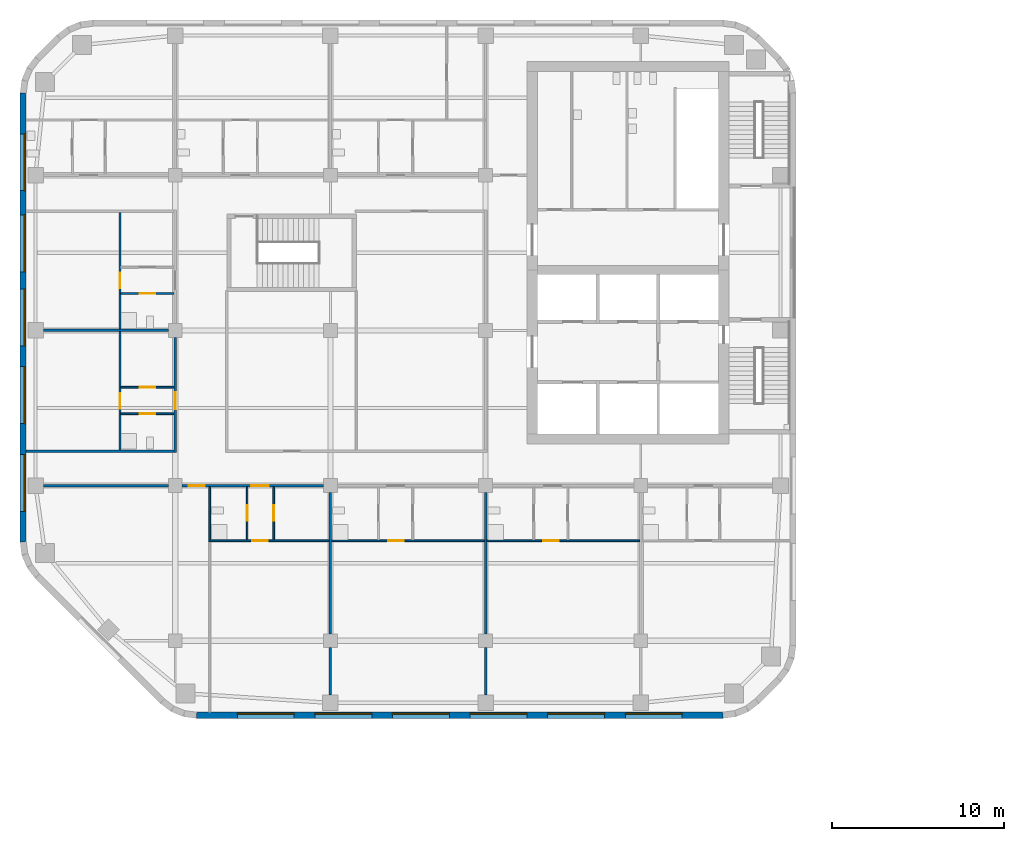
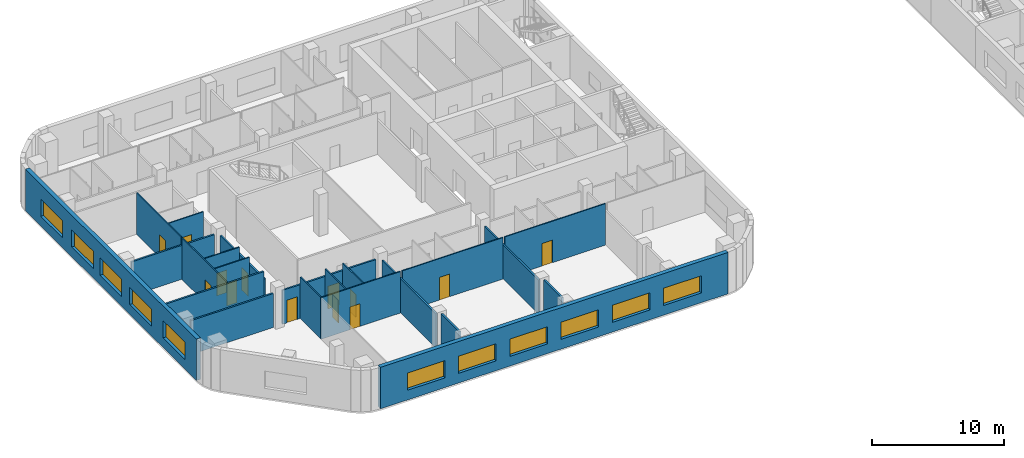
# One storey, part 5 of 16: 22 walls, 13 doors, 11 windows, 24 openings.
"""IFC4 building model written with IfcOpenShell, lengths in metres."""

from ifc_helpers import new_model, si_unit, direction, frame, frame_2d, origin, place, context, subcontext, project, spatial, rectangle, extrude, material, layer, layer_set, type_object, element, fill, save


model = new_model("IFC4")

# Units and contexts
model_context = context("Model", 3, precision=1e-05, world=origin(), true_north=direction((0.0, 1.0)))
body_context = subcontext(model_context, "Body", "Model", "MODEL_VIEW")
ifc_project = project(units=[si_unit("LENGTHUNIT", "METRE"), si_unit("AREAUNIT", "SQUARE_METRE"), si_unit("VOLUMEUNIT", "CUBIC_METRE"), si_unit("PLANEANGLEUNIT", "RADIAN"), si_unit("MASSUNIT", "GRAM", prefix="KILO")], contexts=[model_context])

# Site, building, storey
site_placement = place(None, origin())
site = spatial("IfcSite", under=ifc_project, at=site_placement, CompositionType="ELEMENT")
building_placement = place(site_placement, origin())
building = spatial("IfcBuilding", under=site, at=building_placement, Name="Cinnabar Reach Civic Tower", CompositionType="ELEMENT")
storey_placement = place(building_placement, frame((0.0, 0.0, 30.0)))
storey = spatial("IfcBuildingStorey", under=building, at=storey_placement, Name="L06", CompositionType="ELEMENT", Elevation=30.0)

# Wall, openings, windows
ifc_material_1 = material(Name="Facing brick with insulated backing", Category="masonry")
ifc_layer_1 = layer(ifc_material_1, 0.36)
ifc_layer_set_1 = layer_set([ifc_layer_1], Name="Brick pier and spandrel wall")
wall_type_1 = type_object("IfcWallType", Name="Brick pier and spandrel wall", PredefinedType="STANDARD", material=ifc_layer_set_1)
wall_1_placement = place(storey_placement, frame((-61.7574, 4.68, 0.0), z_axis=(0.0, 0.0, 1.0), x_axis=(1.0, 0.0, 0.0)))
wall_1 = element("IfcWall", 1, at=wall_1_placement, inside=storey, type_object=wall_type_1, Name="Brick facade wall", PredefinedType="STANDARD", context=body_context, shape_type="SweptSolid", body=[
    extrude(rectangle(XDim=30.5148, YDim=0.36, at=frame_2d((15.2574, 0.0))), origin(), (0.0, 0.0, 1.0), 3.85),
])
opening_1_placement = place(wall_1_placement, frame((2.3574, 0.0, 0.9)))
opening_1 = element("IfcOpeningElement", 2, at=opening_1_placement, cuts=wall_1, Name="Opening W2372", PredefinedType="OPENING", context=body_context, shape_type="SweptSolid", body=[
    extrude(rectangle(XDim=3.3, YDim=1.6, at=frame_2d((1.65, 0.8))), frame((0.0, 0.19, 0.0), z_axis=(0.0, -1.0, 0.0), x_axis=(1.0, 0.0, 0.0)), (0.0, 0.0, 1.0), 0.38),
])
opening_2_placement = place(wall_1_placement, frame((6.8574, 0.0, 0.9)))
opening_2 = element("IfcOpeningElement", 3, at=opening_2_placement, cuts=wall_1, Name="Opening W2373", PredefinedType="OPENING", context=body_context, shape_type="SweptSolid", body=[
    extrude(rectangle(XDim=3.3, YDim=1.6, at=frame_2d((1.65, 0.8))), frame((0.0, 0.19, 0.0), z_axis=(0.0, -1.0, 0.0), x_axis=(1.0, 0.0, 0.0)), (0.0, 0.0, 1.0), 0.38),
])
opening_3_placement = place(wall_1_placement, frame((11.3574, 0.0, 0.9)))
opening_3 = element("IfcOpeningElement", 4, at=opening_3_placement, cuts=wall_1, Name="Opening W2374", PredefinedType="OPENING", context=body_context, shape_type="SweptSolid", body=[
    extrude(rectangle(XDim=3.3, YDim=1.6, at=frame_2d((1.65, 0.8))), frame((0.0, 0.19, 0.0), z_axis=(0.0, -1.0, 0.0), x_axis=(1.0, 0.0, 0.0)), (0.0, 0.0, 1.0), 0.38),
])
opening_4_placement = place(wall_1_placement, frame((15.8574, 0.0, 0.9)))
opening_4 = element("IfcOpeningElement", 5, at=opening_4_placement, cuts=wall_1, Name="Opening W2375", PredefinedType="OPENING", context=body_context, shape_type="SweptSolid", body=[
    extrude(rectangle(XDim=3.3, YDim=1.6, at=frame_2d((1.65, 0.8))), frame((0.0, 0.19, 0.0), z_axis=(0.0, -1.0, 0.0), x_axis=(1.0, 0.0, 0.0)), (0.0, 0.0, 1.0), 0.38),
])
opening_5_placement = place(wall_1_placement, frame((20.3574, 0.0, 0.9)))
opening_5 = element("IfcOpeningElement", 6, at=opening_5_placement, cuts=wall_1, Name="Opening W2376", PredefinedType="OPENING", context=body_context, shape_type="SweptSolid", body=[
    extrude(rectangle(XDim=3.3, YDim=1.6, at=frame_2d((1.65, 0.8))), frame((0.0, 0.19, 0.0), z_axis=(0.0, -1.0, 0.0), x_axis=(1.0, 0.0, 0.0)), (0.0, 0.0, 1.0), 0.38),
])
opening_6_placement = place(wall_1_placement, frame((24.8574, 0.0, 0.9)))
opening_6 = element("IfcOpeningElement", 7, at=opening_6_placement, cuts=wall_1, Name="Opening W2377", PredefinedType="OPENING", context=body_context, shape_type="SweptSolid", body=[
    extrude(rectangle(XDim=3.3, YDim=1.6, at=frame_2d((1.65, 0.8))), frame((0.0, 0.19, 0.0), z_axis=(0.0, -1.0, 0.0), x_axis=(1.0, 0.0, 0.0)), (0.0, 0.0, 1.0), 0.38),
])
ifc_material_2 = material(Name="Clear double glazing in aluminium frame", Category="aluminium")
window_type = type_object("IfcWindowType", Name="Deep-set window A", PartitioningType="SINGLE_PANEL", PredefinedType="WINDOW", material=ifc_material_2)
window_1_placement = place(opening_1_placement, origin())
window_1 = element("IfcWindow", 8, at=window_1_placement, inside=storey, type_object=window_type, Name="Window south face", OverallHeight=1.6, OverallWidth=3.3, PartitioningType="SINGLE_PANEL", PredefinedType="WINDOW", context=body_context, shape_type="SweptSolid", body=[
    extrude(rectangle(XDim=3.3, YDim=1.6, at=frame_2d((1.65, 0.8))), frame((0.0, 0.13, 0.0), z_axis=(0.0, -1.0, 0.0), x_axis=(1.0, 0.0, 0.0)), (0.0, 0.0, 1.0), 0.06),
])
fill(opening_1, window_1)
window_2_placement = place(opening_2_placement, origin())
window_2 = element("IfcWindow", 9, at=window_2_placement, inside=storey, type_object=window_type, Name="Window south face", OverallHeight=1.6, OverallWidth=3.3, PartitioningType="SINGLE_PANEL", PredefinedType="WINDOW", context=body_context, shape_type="SweptSolid", body=[
    extrude(rectangle(XDim=3.3, YDim=1.6, at=frame_2d((1.65, 0.8))), frame((0.0, 0.13, 0.0), z_axis=(0.0, -1.0, 0.0), x_axis=(1.0, 0.0, 0.0)), (0.0, 0.0, 1.0), 0.06),
])
fill(opening_2, window_2)
window_3_placement = place(opening_3_placement, origin())
window_3 = element("IfcWindow", 10, at=window_3_placement, inside=storey, type_object=window_type, Name="Window south face", OverallHeight=1.6, OverallWidth=3.3, PartitioningType="SINGLE_PANEL", PredefinedType="WINDOW", context=body_context, shape_type="SweptSolid", body=[
    extrude(rectangle(XDim=3.3, YDim=1.6, at=frame_2d((1.65, 0.8))), frame((0.0, 0.13, 0.0), z_axis=(0.0, -1.0, 0.0), x_axis=(1.0, 0.0, 0.0)), (0.0, 0.0, 1.0), 0.06),
])
fill(opening_3, window_3)
window_4_placement = place(opening_4_placement, origin())
window_4 = element("IfcWindow", 11, at=window_4_placement, inside=storey, type_object=window_type, Name="Window south face", OverallHeight=1.6, OverallWidth=3.3, PartitioningType="SINGLE_PANEL", PredefinedType="WINDOW", context=body_context, shape_type="SweptSolid", body=[
    extrude(rectangle(XDim=3.3, YDim=1.6, at=frame_2d((1.65, 0.8))), frame((0.0, 0.13, 0.0), z_axis=(0.0, -1.0, 0.0), x_axis=(1.0, 0.0, 0.0)), (0.0, 0.0, 1.0), 0.06),
])
fill(opening_4, window_4)
window_5_placement = place(opening_5_placement, origin())
window_5 = element("IfcWindow", 12, at=window_5_placement, inside=storey, type_object=window_type, Name="Window south face", OverallHeight=1.6, OverallWidth=3.3, PartitioningType="SINGLE_PANEL", PredefinedType="WINDOW", context=body_context, shape_type="SweptSolid", body=[
    extrude(rectangle(XDim=3.3, YDim=1.6, at=frame_2d((1.65, 0.8))), frame((0.0, 0.13, 0.0), z_axis=(0.0, -1.0, 0.0), x_axis=(1.0, 0.0, 0.0)), (0.0, 0.0, 1.0), 0.06),
])
fill(opening_5, window_5)
window_6_placement = place(opening_6_placement, origin())
window_6 = element("IfcWindow", 13, at=window_6_placement, inside=storey, type_object=window_type, Name="Window south face", OverallHeight=1.6, OverallWidth=3.3, PartitioningType="SINGLE_PANEL", PredefinedType="WINDOW", context=body_context, shape_type="SweptSolid", body=[
    extrude(rectangle(XDim=3.3, YDim=1.6, at=frame_2d((1.65, 0.8))), frame((0.0, 0.13, 0.0), z_axis=(0.0, -1.0, 0.0), x_axis=(1.0, 0.0, 0.0)), (0.0, 0.0, 1.0), 0.06),
])
fill(opening_6, window_6)

wall_2_placement = place(storey_placement, frame((-71.82, 40.7574, 0.0), z_axis=(0.0, 0.0, 1.0), x_axis=(0.0, -1.0, 0.0)))
wall_2 = element("IfcWall", 14, at=wall_2_placement, inside=storey, type_object=wall_type_1, Name="Brick facade wall", PredefinedType="STANDARD", context=body_context, shape_type="SweptSolid", body=[
    extrude(rectangle(XDim=26.0148, YDim=0.36, at=frame_2d((13.0074, 0.0))), origin(), (0.0, 0.0, 1.0), 3.85),
])
opening_7_placement = place(wall_2_placement, frame((2.3574, 0.0, 0.9)))
opening_7 = element("IfcOpeningElement", 15, at=opening_7_placement, cuts=wall_2, Name="Opening W2388", PredefinedType="OPENING", context=body_context, shape_type="SweptSolid", body=[
    extrude(rectangle(XDim=3.3, YDim=1.6, at=frame_2d((1.65, 0.8))), frame((0.0, 0.19, 0.0), z_axis=(0.0, -1.0, 0.0), x_axis=(1.0, 0.0, 0.0)), (0.0, 0.0, 1.0), 0.38),
])
opening_8_placement = place(wall_2_placement, frame((7.0574, 0.0, 0.9)))
opening_8 = element("IfcOpeningElement", 16, at=opening_8_placement, cuts=wall_2, Name="Opening W2389", PredefinedType="OPENING", context=body_context, shape_type="SweptSolid", body=[
    extrude(rectangle(XDim=3.3, YDim=1.6, at=frame_2d((1.65, 0.8))), frame((0.0, 0.19, 0.0), z_axis=(0.0, -1.0, 0.0), x_axis=(1.0, 0.0, 0.0)), (0.0, 0.0, 1.0), 0.38),
])
opening_9_placement = place(wall_2_placement, frame((11.3574, 0.0, 0.9)))
opening_9 = element("IfcOpeningElement", 17, at=opening_9_placement, cuts=wall_2, Name="Opening W2390", PredefinedType="OPENING", context=body_context, shape_type="SweptSolid", body=[
    extrude(rectangle(XDim=3.3, YDim=1.6, at=frame_2d((1.65, 0.8))), frame((0.0, 0.19, 0.0), z_axis=(0.0, -1.0, 0.0), x_axis=(1.0, 0.0, 0.0)), (0.0, 0.0, 1.0), 0.38),
])
opening_10_placement = place(wall_2_placement, frame((15.8574, 0.0, 0.9)))
opening_10 = element("IfcOpeningElement", 18, at=opening_10_placement, cuts=wall_2, Name="Opening W2391", PredefinedType="OPENING", context=body_context, shape_type="SweptSolid", body=[
    extrude(rectangle(XDim=3.3, YDim=1.6, at=frame_2d((1.65, 0.8))), frame((0.0, 0.19, 0.0), z_axis=(0.0, -1.0, 0.0), x_axis=(1.0, 0.0, 0.0)), (0.0, 0.0, 1.0), 0.38),
])
opening_11_placement = place(wall_2_placement, frame((20.9574, 0.0, 0.9)))
opening_11 = element("IfcOpeningElement", 19, at=opening_11_placement, cuts=wall_2, Name="Opening W2392", PredefinedType="OPENING", context=body_context, shape_type="SweptSolid", body=[
    extrude(rectangle(XDim=3.3, YDim=1.6, at=frame_2d((1.65, 0.8))), frame((0.0, 0.19, 0.0), z_axis=(0.0, -1.0, 0.0), x_axis=(1.0, 0.0, 0.0)), (0.0, 0.0, 1.0), 0.38),
])
window_7_placement = place(opening_7_placement, origin())
window_7 = element("IfcWindow", 20, at=window_7_placement, inside=storey, type_object=window_type, Name="Window west face", OverallHeight=1.6, OverallWidth=3.3, PartitioningType="SINGLE_PANEL", PredefinedType="WINDOW", context=body_context, shape_type="SweptSolid", body=[
    extrude(rectangle(XDim=3.3, YDim=1.6, at=frame_2d((1.65, 0.8))), frame((0.0, 0.13, 0.0), z_axis=(0.0, -1.0, 0.0), x_axis=(1.0, 0.0, 0.0)), (0.0, 0.0, 1.0), 0.06),
])
fill(opening_7, window_7)
window_8_placement = place(opening_8_placement, origin())
window_8 = element("IfcWindow", 21, at=window_8_placement, inside=storey, type_object=window_type, Name="Window west face", OverallHeight=1.6, OverallWidth=3.3, PartitioningType="SINGLE_PANEL", PredefinedType="WINDOW", context=body_context, shape_type="SweptSolid", body=[
    extrude(rectangle(XDim=3.3, YDim=1.6, at=frame_2d((1.65, 0.8))), frame((0.0, 0.13, 0.0), z_axis=(0.0, -1.0, 0.0), x_axis=(1.0, 0.0, 0.0)), (0.0, 0.0, 1.0), 0.06),
])
fill(opening_8, window_8)
window_9_placement = place(opening_9_placement, origin())
window_9 = element("IfcWindow", 22, at=window_9_placement, inside=storey, type_object=window_type, Name="Window west face", OverallHeight=1.6, OverallWidth=3.3, PartitioningType="SINGLE_PANEL", PredefinedType="WINDOW", context=body_context, shape_type="SweptSolid", body=[
    extrude(rectangle(XDim=3.3, YDim=1.6, at=frame_2d((1.65, 0.8))), frame((0.0, 0.13, 0.0), z_axis=(0.0, -1.0, 0.0), x_axis=(1.0, 0.0, 0.0)), (0.0, 0.0, 1.0), 0.06),
])
fill(opening_9, window_9)
window_10_placement = place(opening_10_placement, origin())
window_10 = element("IfcWindow", 23, at=window_10_placement, inside=storey, type_object=window_type, Name="Window west face", OverallHeight=1.6, OverallWidth=3.3, PartitioningType="SINGLE_PANEL", PredefinedType="WINDOW", context=body_context, shape_type="SweptSolid", body=[
    extrude(rectangle(XDim=3.3, YDim=1.6, at=frame_2d((1.65, 0.8))), frame((0.0, 0.13, 0.0), z_axis=(0.0, -1.0, 0.0), x_axis=(1.0, 0.0, 0.0)), (0.0, 0.0, 1.0), 0.06),
])
fill(opening_10, window_10)
window_11_placement = place(opening_11_placement, origin())
window_11 = element("IfcWindow", 24, at=window_11_placement, inside=storey, type_object=window_type, Name="Window west face", OverallHeight=1.6, OverallWidth=3.3, PartitioningType="SINGLE_PANEL", PredefinedType="WINDOW", context=body_context, shape_type="SweptSolid", body=[
    extrude(rectangle(XDim=3.3, YDim=1.6, at=frame_2d((1.65, 0.8))), frame((0.0, 0.13, 0.0), z_axis=(0.0, -1.0, 0.0), x_axis=(1.0, 0.0, 0.0)), (0.0, 0.0, 1.0), 0.06),
])
fill(opening_11, window_11)

# Wall, openings, doors
ifc_material_3 = material(Name="Gypsum board on steel studs, double layer", Category="steel")
ifc_layer_2 = layer(ifc_material_3, 0.15)
ifc_layer_set_2 = layer_set([ifc_layer_2], Name="Corridor wall 150 T2")
wall_type_2 = type_object("IfcWallType", Name="Corridor wall 150 T2", PredefinedType="PARTITIONING", material=ifc_layer_set_2)
wall_3_placement = place(storey_placement, frame((-62.6, 18.0, 0.0), z_axis=(0.0, 0.0, 1.0), x_axis=(1.0, 0.0, 0.0)))
wall_3 = element("IfcWall", 25, at=wall_3_placement, inside=storey, type_object=wall_type_2, Name="Corridor wall 4", PredefinedType="PARTITIONING", context=body_context, shape_type="SweptSolid", body=[
    extrude(rectangle(XDim=8.2, YDim=0.15, at=frame_2d((4.1, 0.0))), origin(), (0.0, 0.0, 1.0), 3.15),
])
opening_12_placement = place(wall_3_placement, frame((0.4, 0.0, 0.0)))
opening_12 = element("IfcOpeningElement", 26, at=opening_12_placement, cuts=wall_3, Name="Opening D6163", PredefinedType="OPENING", context=body_context, shape_type="SweptSolid", body=[
    extrude(rectangle(XDim=0.9, YDim=2.1, at=frame_2d((0.45, 1.05))), frame((0.0, 0.085, 0.0), z_axis=(0.0, -1.0, 0.0), x_axis=(1.0, 0.0, 0.0)), (0.0, 0.0, 1.0), 0.17),
])
opening_13_placement = place(wall_3_placement, frame((4.02, 0.0, 0.0)))
opening_13 = element("IfcOpeningElement", 27, at=opening_13_placement, cuts=wall_3, Name="Opening D6167", PredefinedType="OPENING", context=body_context, shape_type="SweptSolid", body=[
    extrude(rectangle(XDim=1.0, YDim=2.1, at=frame_2d((0.5, 1.05))), frame((0.0, 0.085, 0.0), z_axis=(0.0, -1.0, 0.0), x_axis=(1.0, 0.0, 0.0)), (0.0, 0.0, 1.0), 0.17),
])
ifc_material_4 = material(Name="Timber door leaf in steel frame", Category="steel")
door_type_1 = type_object("IfcDoorType", Name="Single swing door 900 x 2100 T2", OperationType="SINGLE_SWING_LEFT", PredefinedType="DOOR", material=ifc_material_4)
door_1_placement = place(opening_12_placement, frame((0.9, 0.0, 0.0), z_axis=(0.0, 0.0, 1.0), x_axis=(-1.0, 0.0, 0.0)))
door_1 = element("IfcDoor", 28, at=door_1_placement, inside=storey, type_object=door_type_1, Name="Door D6163", OperationType="SINGLE_SWING_LEFT", OverallHeight=2.1, OverallWidth=0.9, PredefinedType="DOOR", context=body_context, shape_type="SweptSolid", body=[
    extrude(rectangle(XDim=0.9, YDim=2.1, at=frame_2d((0.45, 1.05))), frame((0.0, 0.025, 0.0), z_axis=(0.0, -1.0, 0.0), x_axis=(1.0, 0.0, 0.0)), (0.0, 0.0, 1.0), 0.05),
])
fill(opening_12, door_1)
door_type_2 = type_object("IfcDoorType", Name="Tenancy entrance door 1000 x 2100 T2", OperationType="SINGLE_SWING_LEFT", PredefinedType="DOOR", material=ifc_material_4)
door_2_placement = place(opening_13_placement, frame((1.0, 0.0, 0.0), z_axis=(0.0, 0.0, 1.0), x_axis=(-1.0, 0.0, 0.0)))
door_2 = element("IfcDoor", 29, at=door_2_placement, inside=storey, type_object=door_type_2, Name="Door D6167", OperationType="SINGLE_SWING_RIGHT", OverallHeight=2.1, OverallWidth=1.0, PredefinedType="DOOR", context=body_context, shape_type="SweptSolid", body=[
    extrude(rectangle(XDim=1.0, YDim=2.1, at=frame_2d((0.5, 1.05))), frame((0.0, 0.025, 0.0), z_axis=(0.0, -1.0, 0.0), x_axis=(1.0, 0.0, 0.0)), (0.0, 0.0, 1.0), 0.05),
])
fill(opening_13, door_2)

# Wall
wall_4_placement = place(storey_placement, frame((-70.65, 18.0, 0.0), z_axis=(0.0, 0.0, 1.0), x_axis=(1.0, 0.0, 0.0)))
element("IfcWall", 30, at=wall_4_placement, inside=storey, type_object=wall_type_2, Name="Corridor wall 5", PredefinedType="PARTITIONING", context=body_context, shape_type="SweptSolid", body=[
    extrude(rectangle(XDim=7.25, YDim=0.15, at=frame_2d((3.625, 0.0))), origin(), (0.0, 0.0, 1.0), 3.15),
])

# Wall, opening, door
wall_5_placement = place(storey_placement, frame((-63.0, 19.925, 0.0), z_axis=(0.0, 0.0, 1.0), x_axis=(0.0, 1.0, 0.0)))
wall_5 = element("IfcWall", 31, at=wall_5_placement, inside=storey, type_object=wall_type_2, Name="Corridor wall 11", PredefinedType="PARTITIONING", context=body_context, shape_type="SweptSolid", body=[
    extrude(rectangle(XDim=6.675, YDim=0.15, at=frame_2d((3.3375, 0.0))), origin(), (0.0, 0.0, 1.0), 3.158),
])
opening_14_placement = place(wall_5_placement, frame((2.495, 0.0, 0.0)))
opening_14 = element("IfcOpeningElement", 32, at=opening_14_placement, cuts=wall_5, Name="Opening D6196", PredefinedType="OPENING", context=body_context, shape_type="SweptSolid", body=[
    extrude(rectangle(XDim=1.0, YDim=2.1, at=frame_2d((0.5, 1.05))), frame((0.0, 0.085, 0.0), z_axis=(0.0, -1.0, 0.0), x_axis=(1.0, 0.0, 0.0)), (0.0, 0.0, 1.0), 0.17),
])
door_3_placement = place(opening_14_placement, origin())
door_3 = element("IfcDoor", 33, at=door_3_placement, inside=storey, type_object=door_type_2, Name="Door D6196", OperationType="SINGLE_SWING_LEFT", OverallHeight=2.1, OverallWidth=1.0, PredefinedType="DOOR", context=body_context, shape_type="SweptSolid", body=[
    extrude(rectangle(XDim=1.0, YDim=2.1, at=frame_2d((0.5, 1.05))), frame((0.0, 0.025, 0.0), z_axis=(0.0, -1.0, 0.0), x_axis=(1.0, 0.0, 0.0)), (0.0, 0.0, 1.0), 0.05),
])
fill(opening_14, door_3)

# Wall
wall_6_placement = place(storey_placement, frame((-71.64, 20.0, 0.0), z_axis=(0.0, 0.0, 1.0), x_axis=(1.0, 0.0, 0.0)))
element("IfcWall", 34, at=wall_6_placement, inside=storey, type_object=wall_type_2, Name="Corridor wall 16", PredefinedType="PARTITIONING", context=body_context, shape_type="SweptSolid", body=[
    extrude(rectangle(XDim=8.565, YDim=0.15, at=frame_2d((4.2825, 0.0))), origin(), (0.0, 0.0, 1.0), 3.85),
])

# Wall, opening, door
ifc_material_5 = material(Name="Gypsum board on steel studs", Category="steel")
ifc_layer_3 = layer(ifc_material_5, 0.1)
ifc_layer_set_3 = layer_set([ifc_layer_3], Name="Partition wall 100 T2")
wall_type_3 = type_object("IfcWallType", Name="Partition wall 100 T2", PredefinedType="PARTITIONING", material=ifc_layer_set_3)
wall_7_placement = place(storey_placement, frame((-61.05, 14.8, 0.0), z_axis=(0.0, 0.0, 1.0), x_axis=(1.0, 0.0, 0.0)))
wall_7 = element("IfcWall", 35, at=wall_7_placement, inside=storey, type_object=wall_type_3, Name="Partition wall 28", PredefinedType="PARTITIONING", context=body_context, shape_type="SweptSolid", body=[
    extrude(rectangle(XDim=6.975, YDim=0.1, at=frame_2d((3.4875, 0.0))), origin(), (0.0, 0.0, 1.0), 3.85),
])
opening_15_placement = place(wall_7_placement, frame((2.52, 0.0, 0.0)))
opening_15 = element("IfcOpeningElement", 36, at=opening_15_placement, cuts=wall_7, Name="Opening D6166", PredefinedType="OPENING", context=body_context, shape_type="SweptSolid", body=[
    extrude(rectangle(XDim=0.9, YDim=2.1, at=frame_2d((0.45, 1.05))), frame((0.0, 0.06, 0.0), z_axis=(0.0, -1.0, 0.0), x_axis=(1.0, 0.0, 0.0)), (0.0, 0.0, 1.0), 0.12),
])
door_4_placement = place(opening_15_placement, origin())
door_4 = element("IfcDoor", 37, at=door_4_placement, inside=storey, type_object=door_type_1, Name="Door D6166", OperationType="SINGLE_SWING_LEFT", OverallHeight=2.1, OverallWidth=0.9, PredefinedType="DOOR", context=body_context, shape_type="SweptSolid", body=[
    extrude(rectangle(XDim=0.9, YDim=2.1, at=frame_2d((0.45, 1.05))), frame((0.0, 0.025, 0.0), z_axis=(0.0, -1.0, 0.0), x_axis=(1.0, 0.0, 0.0)), (0.0, 0.0, 1.0), 0.05),
])
fill(opening_15, door_4)

wall_8_placement = place(storey_placement, frame((-53.925, 14.8, 0.0), z_axis=(0.0, 0.0, 1.0), x_axis=(1.0, 0.0, 0.0)))
wall_8 = element("IfcWall", 38, at=wall_8_placement, inside=storey, type_object=wall_type_3, Name="Partition wall 29", PredefinedType="PARTITIONING", context=body_context, shape_type="SweptSolid", body=[
    extrude(rectangle(XDim=8.85, YDim=0.1, at=frame_2d((4.425, 0.0))), origin(), (0.0, 0.0, 1.0), 3.85),
])
opening_16_placement = place(wall_8_placement, frame((3.265, 0.0, 0.0)))
opening_16 = element("IfcOpeningElement", 39, at=opening_16_placement, cuts=wall_8, Name="Opening D6170", PredefinedType="OPENING", context=body_context, shape_type="SweptSolid", body=[
    extrude(rectangle(XDim=0.9, YDim=2.1, at=frame_2d((0.45, 1.05))), frame((0.0, 0.06, 0.0), z_axis=(0.0, -1.0, 0.0), x_axis=(1.0, 0.0, 0.0)), (0.0, 0.0, 1.0), 0.12),
])
door_5_placement = place(opening_16_placement, origin())
door_5 = element("IfcDoor", 40, at=door_5_placement, inside=storey, type_object=door_type_1, Name="Door D6170", OperationType="SINGLE_SWING_RIGHT", OverallHeight=2.1, OverallWidth=0.9, PredefinedType="DOOR", context=body_context, shape_type="SweptSolid", body=[
    extrude(rectangle(XDim=0.9, YDim=2.1, at=frame_2d((0.45, 1.05))), frame((0.0, 0.025, 0.0), z_axis=(0.0, -1.0, 0.0), x_axis=(1.0, 0.0, 0.0)), (0.0, 0.0, 1.0), 0.05),
])
fill(opening_16, door_5)

wall_9_placement = place(storey_placement, frame((-44.925, 14.8, 0.0), z_axis=(0.0, 0.0, 1.0), x_axis=(1.0, 0.0, 0.0)))
wall_9 = element("IfcWall", 41, at=wall_9_placement, inside=storey, type_object=wall_type_3, Name="Partition wall 30", PredefinedType="PARTITIONING", context=body_context, shape_type="SweptSolid", body=[
    extrude(rectangle(XDim=8.85, YDim=0.1, at=frame_2d((4.425, 0.0))), origin(), (0.0, 0.0, 1.0), 3.85),
])
opening_17_placement = place(wall_9_placement, frame((3.265, 0.0, 0.0)))
opening_17 = element("IfcOpeningElement", 42, at=opening_17_placement, cuts=wall_9, Name="Opening D6174", PredefinedType="OPENING", context=body_context, shape_type="SweptSolid", body=[
    extrude(rectangle(XDim=0.9, YDim=2.1, at=frame_2d((0.45, 1.05))), frame((0.0, 0.06, 0.0), z_axis=(0.0, -1.0, 0.0), x_axis=(1.0, 0.0, 0.0)), (0.0, 0.0, 1.0), 0.12),
])
door_6_placement = place(opening_17_placement, origin())
door_6 = element("IfcDoor", 43, at=door_6_placement, inside=storey, type_object=door_type_1, Name="Door D6174", OperationType="SINGLE_SWING_RIGHT", OverallHeight=2.1, OverallWidth=0.9, PredefinedType="DOOR", context=body_context, shape_type="SweptSolid", body=[
    extrude(rectangle(XDim=0.9, YDim=2.1, at=frame_2d((0.45, 1.05))), frame((0.0, 0.025, 0.0), z_axis=(0.0, -1.0, 0.0), x_axis=(1.0, 0.0, 0.0)), (0.0, 0.0, 1.0), 0.05),
])
fill(opening_17, door_6)

wall_10_placement = place(storey_placement, frame((-66.2, 27.075, 0.0), z_axis=(0.0, 0.0, 1.0), x_axis=(0.0, 1.0, 0.0)))
wall_10 = element("IfcWall", 44, at=wall_10_placement, inside=storey, type_object=wall_type_3, Name="Partition wall 35", PredefinedType="PARTITIONING", context=body_context, shape_type="SweptSolid", body=[
    extrude(rectangle(XDim=6.75, YDim=0.1, at=frame_2d((3.375, 0.0))), origin(), (0.0, 0.0, 1.0), 3.85),
])
opening_18_placement = place(wall_10_placement, frame((2.364, 0.0, 0.0)))
opening_18 = element("IfcOpeningElement", 45, at=opening_18_placement, cuts=wall_10, Name="Opening D6199", PredefinedType="OPENING", context=body_context, shape_type="SweptSolid", body=[
    extrude(rectangle(XDim=0.9, YDim=2.1, at=frame_2d((0.45, 1.05))), frame((0.0, 0.06, 0.0), z_axis=(0.0, -1.0, 0.0), x_axis=(1.0, 0.0, 0.0)), (0.0, 0.0, 1.0), 0.12),
])
door_7_placement = place(opening_18_placement, frame((0.9, 0.0, 0.0), z_axis=(0.0, 0.0, 1.0), x_axis=(-1.0, 0.0, 0.0)))
door_7 = element("IfcDoor", 46, at=door_7_placement, inside=storey, type_object=door_type_1, Name="Door D6199", OperationType="SINGLE_SWING_LEFT", OverallHeight=2.1, OverallWidth=0.9, PredefinedType="DOOR", context=body_context, shape_type="SweptSolid", body=[
    extrude(rectangle(XDim=0.9, YDim=2.1, at=frame_2d((0.45, 1.05))), frame((0.0, 0.025, 0.0), z_axis=(0.0, -1.0, 0.0), x_axis=(1.0, 0.0, 0.0)), (0.0, 0.0, 1.0), 0.05),
])
fill(opening_18, door_7)

wall_11_placement = place(storey_placement, frame((-66.2, 20.075, 0.0), z_axis=(0.0, 0.0, 1.0), x_axis=(0.0, 1.0, 0.0)))
wall_11 = element("IfcWall", 47, at=wall_11_placement, inside=storey, type_object=wall_type_3, Name="Partition wall 36", PredefinedType="PARTITIONING", context=body_context, shape_type="SweptSolid", body=[
    extrude(rectangle(XDim=6.85, YDim=0.1, at=frame_2d((3.425, 0.0))), origin(), (0.0, 0.0, 1.0), 3.85),
])
opening_19_placement = place(wall_11_placement, frame((2.395, 0.0, 0.0)))
opening_19 = element("IfcOpeningElement", 48, at=opening_19_placement, cuts=wall_11, Name="Opening D6195", PredefinedType="OPENING", context=body_context, shape_type="SweptSolid", body=[
    extrude(rectangle(XDim=0.9, YDim=2.1, at=frame_2d((0.45, 1.05))), frame((0.0, 0.06, 0.0), z_axis=(0.0, -1.0, 0.0), x_axis=(1.0, 0.0, 0.0)), (0.0, 0.0, 1.0), 0.12),
])
door_8_placement = place(opening_19_placement, frame((0.9, 0.0, 0.0), z_axis=(0.0, 0.0, 1.0), x_axis=(-1.0, 0.0, 0.0)))
door_8 = element("IfcDoor", 49, at=door_8_placement, inside=storey, type_object=door_type_1, Name="Door D6195", OperationType="SINGLE_SWING_RIGHT", OverallHeight=2.1, OverallWidth=0.9, PredefinedType="DOOR", context=body_context, shape_type="SweptSolid", body=[
    extrude(rectangle(XDim=0.9, YDim=2.1, at=frame_2d((0.45, 1.05))), frame((0.0, 0.025, 0.0), z_axis=(0.0, -1.0, 0.0), x_axis=(1.0, 0.0, 0.0)), (0.0, 0.0, 1.0), 0.05),
])
fill(opening_19, door_8)

# Wall
wall_12_placement = place(storey_placement, frame((-61.0, 14.85, 0.0), z_axis=(0.0, 0.0, 1.0), x_axis=(0.0, 1.0, 0.0)))
element("IfcWall", 50, at=wall_12_placement, inside=storey, type_object=wall_type_3, Name="Partition wall 37", PredefinedType="PARTITIONING", context=body_context, shape_type="SweptSolid", body=[
    extrude(rectangle(XDim=3.075, YDim=0.1, at=frame_2d((1.5375, 0.0))), origin(), (0.0, 0.0, 1.0), 3.85),
])

# Wall, opening, door
wall_13_placement = place(storey_placement, frame((-66.15, 22.17, 0.0), z_axis=(0.0, 0.0, 1.0), x_axis=(1.0, 0.0, 0.0)))
wall_13 = element("IfcWall", 51, at=wall_13_placement, inside=storey, type_object=wall_type_3, Name="Partition wall 43", PredefinedType="PARTITIONING", context=body_context, shape_type="SweptSolid", body=[
    extrude(rectangle(XDim=3.075, YDim=0.1, at=frame_2d((1.5375, 0.0))), origin(), (0.0, 0.0, 1.0), 3.85),
])
opening_20_placement = place(wall_13_placement, frame((1.1, 0.0, 0.0)))
opening_20 = element("IfcOpeningElement", 52, at=opening_20_placement, cuts=wall_13, Name="Opening D6193", PredefinedType="OPENING", context=body_context, shape_type="SweptSolid", body=[
    extrude(rectangle(XDim=0.9, YDim=2.1, at=frame_2d((0.45, 1.05))), frame((0.0, 0.06, 0.0), z_axis=(0.0, -1.0, 0.0), x_axis=(1.0, 0.0, 0.0)), (0.0, 0.0, 1.0), 0.12),
])
door_9_placement = place(opening_20_placement, frame((0.9, 0.0, 0.0), z_axis=(0.0, 0.0, 1.0), x_axis=(-1.0, 0.0, 0.0)))
door_9 = element("IfcDoor", 53, at=door_9_placement, inside=storey, type_object=door_type_1, Name="Door D6193", OperationType="SINGLE_SWING_RIGHT", OverallHeight=2.1, OverallWidth=0.9, PredefinedType="DOOR", context=body_context, shape_type="SweptSolid", body=[
    extrude(rectangle(XDim=0.9, YDim=2.1, at=frame_2d((0.45, 1.05))), frame((0.0, 0.025, 0.0), z_axis=(0.0, -1.0, 0.0), x_axis=(1.0, 0.0, 0.0)), (0.0, 0.0, 1.0), 0.05),
])
fill(opening_20, door_9)

wall_14_placement = place(storey_placement, frame((-66.15, 23.71, 0.0), z_axis=(0.0, 0.0, 1.0), x_axis=(1.0, 0.0, 0.0)))
wall_14 = element("IfcWall", 54, at=wall_14_placement, inside=storey, type_object=wall_type_3, Name="Partition wall 44", PredefinedType="PARTITIONING", context=body_context, shape_type="SweptSolid", body=[
    extrude(rectangle(XDim=3.075, YDim=0.1, at=frame_2d((1.5375, 0.0))), origin(), (0.0, 0.0, 1.0), 3.85),
])
opening_21_placement = place(wall_14_placement, frame((1.1, 0.0, 0.0)))
opening_21 = element("IfcOpeningElement", 55, at=opening_21_placement, cuts=wall_14, Name="Opening D6194", PredefinedType="OPENING", context=body_context, shape_type="SweptSolid", body=[
    extrude(rectangle(XDim=0.9, YDim=2.1, at=frame_2d((0.45, 1.05))), frame((0.0, 0.06, 0.0), z_axis=(0.0, -1.0, 0.0), x_axis=(1.0, 0.0, 0.0)), (0.0, 0.0, 1.0), 0.12),
])
door_10_placement = place(opening_21_placement, frame((0.9, 0.0, 0.0), z_axis=(0.0, 0.0, 1.0), x_axis=(-1.0, 0.0, 0.0)))
door_10 = element("IfcDoor", 56, at=door_10_placement, inside=storey, type_object=door_type_1, Name="Door D6194", OperationType="SINGLE_SWING_RIGHT", OverallHeight=2.1, OverallWidth=0.9, PredefinedType="DOOR", context=body_context, shape_type="SweptSolid", body=[
    extrude(rectangle(XDim=0.9, YDim=2.1, at=frame_2d((0.45, 1.05))), frame((0.0, 0.025, 0.0), z_axis=(0.0, -1.0, 0.0), x_axis=(1.0, 0.0, 0.0)), (0.0, 0.0, 1.0), 0.05),
])
fill(opening_21, door_10)

wall_15_placement = place(storey_placement, frame((-66.15, 29.139, 0.0), z_axis=(0.0, 0.0, 1.0), x_axis=(1.0, 0.0, 0.0)))
wall_15 = element("IfcWall", 57, at=wall_15_placement, inside=storey, type_object=wall_type_3, Name="Partition wall 45", PredefinedType="PARTITIONING", context=body_context, shape_type="SweptSolid", body=[
    extrude(rectangle(XDim=3.075, YDim=0.1, at=frame_2d((1.5375, 0.0))), origin(), (0.0, 0.0, 1.0), 3.85),
])
opening_22_placement = place(wall_15_placement, frame((1.1, 0.0, 0.0)))
opening_22 = element("IfcOpeningElement", 58, at=opening_22_placement, cuts=wall_15, Name="Opening D6197", PredefinedType="OPENING", context=body_context, shape_type="SweptSolid", body=[
    extrude(rectangle(XDim=0.9, YDim=2.1, at=frame_2d((0.45, 1.05))), frame((0.0, 0.06, 0.0), z_axis=(0.0, -1.0, 0.0), x_axis=(1.0, 0.0, 0.0)), (0.0, 0.0, 1.0), 0.12),
])
door_11_placement = place(opening_22_placement, frame((0.9, 0.0, 0.0), z_axis=(0.0, 0.0, 1.0), x_axis=(-1.0, 0.0, 0.0)))
door_11 = element("IfcDoor", 59, at=door_11_placement, inside=storey, type_object=door_type_1, Name="Door D6197", OperationType="SINGLE_SWING_RIGHT", OverallHeight=2.1, OverallWidth=0.9, PredefinedType="DOOR", context=body_context, shape_type="SweptSolid", body=[
    extrude(rectangle(XDim=0.9, YDim=2.1, at=frame_2d((0.45, 1.05))), frame((0.0, 0.025, 0.0), z_axis=(0.0, -1.0, 0.0), x_axis=(1.0, 0.0, 0.0)), (0.0, 0.0, 1.0), 0.05),
])
fill(opening_22, door_11)

wall_16_placement = place(storey_placement, frame((-58.83, 14.85, 0.0), z_axis=(0.0, 0.0, 1.0), x_axis=(0.0, 1.0, 0.0)))
wall_16 = element("IfcWall", 60, at=wall_16_placement, inside=storey, type_object=wall_type_3, Name="Partition wall 53", PredefinedType="PARTITIONING", context=body_context, shape_type="SweptSolid", body=[
    extrude(rectangle(XDim=3.075, YDim=0.1, at=frame_2d((1.5375, 0.0))), origin(), (0.0, 0.0, 1.0), 3.85),
])
opening_23_placement = place(wall_16_placement, frame((1.1, 0.0, 0.0)))
opening_23 = element("IfcOpeningElement", 61, at=opening_23_placement, cuts=wall_16, Name="Opening D6164", PredefinedType="OPENING", context=body_context, shape_type="SweptSolid", body=[
    extrude(rectangle(XDim=0.9, YDim=2.1, at=frame_2d((0.45, 1.05))), frame((0.0, 0.06, 0.0), z_axis=(0.0, -1.0, 0.0), x_axis=(1.0, 0.0, 0.0)), (0.0, 0.0, 1.0), 0.12),
])
door_12_placement = place(opening_23_placement, origin())
door_12 = element("IfcDoor", 62, at=door_12_placement, inside=storey, type_object=door_type_1, Name="Door D6164", OperationType="SINGLE_SWING_LEFT", OverallHeight=2.1, OverallWidth=0.9, PredefinedType="DOOR", context=body_context, shape_type="SweptSolid", body=[
    extrude(rectangle(XDim=0.9, YDim=2.1, at=frame_2d((0.45, 1.05))), frame((0.0, 0.025, 0.0), z_axis=(0.0, -1.0, 0.0), x_axis=(1.0, 0.0, 0.0)), (0.0, 0.0, 1.0), 0.05),
])
fill(opening_23, door_12)

wall_17_placement = place(storey_placement, frame((-57.29, 14.85, 0.0), z_axis=(0.0, 0.0, 1.0), x_axis=(0.0, 1.0, 0.0)))
wall_17 = element("IfcWall", 63, at=wall_17_placement, inside=storey, type_object=wall_type_3, Name="Partition wall 54", PredefinedType="PARTITIONING", context=body_context, shape_type="SweptSolid", body=[
    extrude(rectangle(XDim=3.075, YDim=0.1, at=frame_2d((1.5375, 0.0))), origin(), (0.0, 0.0, 1.0), 3.85),
])
opening_24_placement = place(wall_17_placement, frame((1.1, 0.0, 0.0)))
opening_24 = element("IfcOpeningElement", 64, at=opening_24_placement, cuts=wall_17, Name="Opening D6165", PredefinedType="OPENING", context=body_context, shape_type="SweptSolid", body=[
    extrude(rectangle(XDim=0.9, YDim=2.1, at=frame_2d((0.45, 1.05))), frame((0.0, 0.06, 0.0), z_axis=(0.0, -1.0, 0.0), x_axis=(1.0, 0.0, 0.0)), (0.0, 0.0, 1.0), 0.12),
])
door_13_placement = place(opening_24_placement, origin())
door_13 = element("IfcDoor", 65, at=door_13_placement, inside=storey, type_object=door_type_1, Name="Door D6165", OperationType="SINGLE_SWING_RIGHT", OverallHeight=2.1, OverallWidth=0.9, PredefinedType="DOOR", context=body_context, shape_type="SweptSolid", body=[
    extrude(rectangle(XDim=0.9, YDim=2.1, at=frame_2d((0.45, 1.05))), frame((0.0, 0.025, 0.0), z_axis=(0.0, -1.0, 0.0), x_axis=(1.0, 0.0, 0.0)), (0.0, 0.0, 1.0), 0.05),
])
fill(opening_24, door_13)

# Walls
ifc_layer_4 = layer(ifc_material_3, 0.15)
ifc_layer_set_4 = layer_set([ifc_layer_4], Name="Tenancy separating wall 150 T2")
wall_type_4 = type_object("IfcWallType", Name="Tenancy separating wall 150 T2", PredefinedType="PARTITIONING", material=ifc_layer_set_4)
wall_18_placement = place(storey_placement, frame((-54.0, 9.4, 0.0), z_axis=(0.0, 0.0, 1.0), x_axis=(0.0, 1.0, 0.0)))
element("IfcWall", 66, at=wall_18_placement, inside=storey, type_object=wall_type_4, Name="Tenancy separating wall 19", PredefinedType="PARTITIONING", context=body_context, shape_type="SweptSolid", body=[
    extrude(rectangle(XDim=8.2, YDim=0.15, at=frame_2d((4.1, 0.0))), origin(), (0.0, 0.0, 1.0), 3.158),
])
wall_19_placement = place(storey_placement, frame((-54.0, 5.85, 0.0), z_axis=(0.0, 0.0, 1.0), x_axis=(0.0, 1.0, 0.0)))
element("IfcWall", 67, at=wall_19_placement, inside=storey, type_object=wall_type_4, Name="Tenancy separating wall 20", PredefinedType="PARTITIONING", context=body_context, shape_type="SweptSolid", body=[
    extrude(rectangle(XDim=2.75, YDim=0.15, at=frame_2d((1.375, 0.0))), origin(), (0.0, 0.0, 1.0), 3.652),
])
wall_20_placement = place(storey_placement, frame((-45.0, 9.4, 0.0), z_axis=(0.0, 0.0, 1.0), x_axis=(0.0, 1.0, 0.0)))
element("IfcWall", 68, at=wall_20_placement, inside=storey, type_object=wall_type_4, Name="Tenancy separating wall 21", PredefinedType="PARTITIONING", context=body_context, shape_type="SweptSolid", body=[
    extrude(rectangle(XDim=8.2, YDim=0.15, at=frame_2d((4.1, 0.0))), origin(), (0.0, 0.0, 1.0), 3.158),
])
wall_21_placement = place(storey_placement, frame((-45.0, 5.85, 0.0), z_axis=(0.0, 0.0, 1.0), x_axis=(0.0, 1.0, 0.0)))
element("IfcWall", 69, at=wall_21_placement, inside=storey, type_object=wall_type_4, Name="Tenancy separating wall 22", PredefinedType="PARTITIONING", context=body_context, shape_type="SweptSolid", body=[
    extrude(rectangle(XDim=2.75, YDim=0.15, at=frame_2d((1.375, 0.0))), origin(), (0.0, 0.0, 1.0), 3.652),
])
wall_22_placement = place(storey_placement, frame((-70.65, 27.0, 0.0), z_axis=(0.0, 0.0, 1.0), x_axis=(1.0, 0.0, 0.0)))
element("IfcWall", 70, at=wall_22_placement, inside=storey, type_object=wall_type_4, Name="Tenancy separating wall 25", PredefinedType="PARTITIONING", context=body_context, shape_type="SweptSolid", body=[
    extrude(rectangle(XDim=7.25, YDim=0.15, at=frame_2d((3.625, 0.0))), origin(), (0.0, 0.0, 1.0), 3.15),
])

save(model, "model.ifc")
